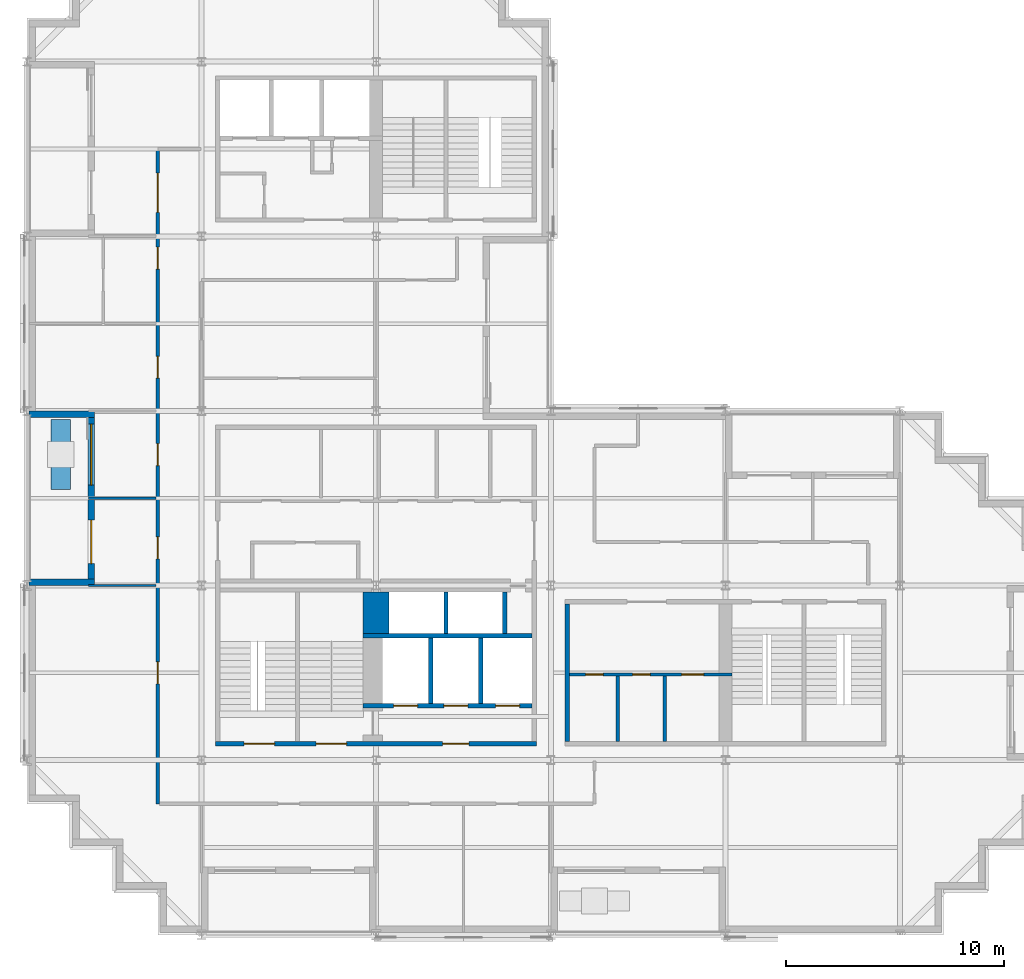
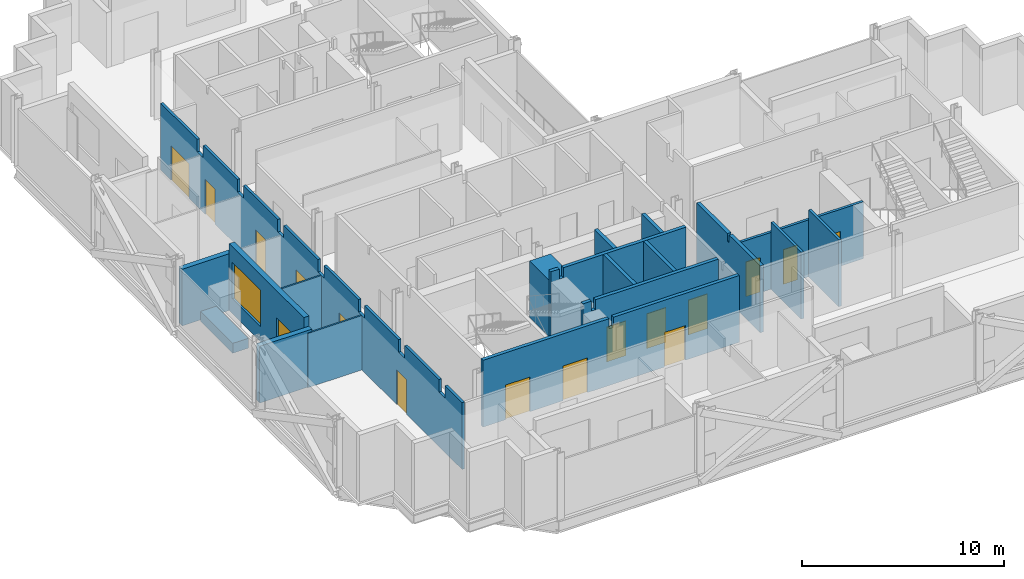
# One storey, part 5 of 12: 19 walls, 16 doors, 1 window, 17 openings.
"""IFC4 building model written with IfcOpenShell, lengths in metres."""

from ifc_helpers import new_model, si_unit, direction, frame, frame_2d, origin, place, context, subcontext, project, spatial, polyline, rectangle, outline, extrude, material, layer, layer_set, type_object, element, fill, save


model = new_model("IFC4")

# Units and contexts
model_context = context("Model", 3, precision=1e-05, world=origin(), true_north=direction((0.0, 1.0)))
body_context = subcontext(model_context, "Body", "Model", "MODEL_VIEW")
ifc_project = project(units=[si_unit("LENGTHUNIT", "METRE"), si_unit("AREAUNIT", "SQUARE_METRE"), si_unit("VOLUMEUNIT", "CUBIC_METRE"), si_unit("PLANEANGLEUNIT", "RADIAN"), si_unit("MASSUNIT", "GRAM", prefix="KILO")], contexts=[model_context])

# Site, building, storey
site_placement = place(None, origin())
site = spatial("IfcSite", under=ifc_project, at=site_placement, CompositionType="ELEMENT")
building_placement = place(site_placement, origin())
building = spatial("IfcBuilding", under=site, at=building_placement, Name="Immortelle Media Tower", CompositionType="ELEMENT")
storey_placement = place(building_placement, frame((0.0, 0.0, 149.39990234375)))
storey = spatial("IfcBuildingStorey", under=building, at=storey_placement, Name="L30", CompositionType="ELEMENT", Elevation=149.39990234375)

# Wall, openings, doors
ifc_material_1 = material(Name="Fire-rated gypsum board", Category="gypsum")
ifc_layer_1 = layer(ifc_material_1, 0.02490234375)
ifc_material_2 = material(Name="Steel ASTM A653 SS Gr 50 stud frame with mineral wool", Category="steel")
ifc_layer_2 = layer(ifc_material_2, 0.10009765625)
ifc_layer_3 = layer(ifc_material_1, 0.02490234375)
ifc_layer_set_1 = layer_set([ifc_layer_1, ifc_layer_2, ifc_layer_3], Name="Steel ASTM A653 SS Gr 50 stud frame with mineral wool")
wall_type_1 = type_object("IfcWallType", Name="Core partition 150", PredefinedType="PARTITIONING", material=ifc_layer_set_1)
wall_1_placement = place(storey_placement, frame((24.85009765625, 11.925048828125, 0.0), z_axis=(0.0, 0.0, 1.0), x_axis=(1.0, 0.0, 0.0)))
wall_1 = element("IfcWall", 1, at=wall_1_placement, inside=storey, type_object=wall_type_1, Name="Core partition SE", PredefinedType="PARTITIONING", context=body_context, shape_type="SweptSolid", body=[
    extrude(rectangle(XDim=7.449951171875, YDim=0.14990234375, at=frame_2d((3.72509765625, 0.0))), origin(), (0.0, 0.0, 1.0), 3.442138671875),
])
opening_1_placement = place(wall_1_placement, frame((1.550048828125, 0.0, 0.0), z_axis=(0.0, 0.0, 1.0), x_axis=(-1.0, 0.0, 0.0)))
opening_1 = element("IfcOpeningElement", 2, at=opening_1_placement, cuts=wall_1, Name="Opening C3-K017", PredefinedType="OPENING", context=body_context, shape_type="SweptSolid", body=[
    extrude(rectangle(XDim=0.800048828125, YDim=2.10009765625, at=frame_2d((0.39990234375, 1.050048828125))), frame((0.0, 0.0849609375, 0.0), z_axis=(0.0, -1.0, 0.0), x_axis=(1.0, 0.0, 0.0)), (0.0, 0.0, 1.0), 0.169921875),
])
opening_2_placement = place(wall_1_placement, frame((3.699951171875, 0.0, 0.0), z_axis=(0.0, 0.0, 1.0), x_axis=(-1.0, 0.0, 0.0)))
opening_2 = element("IfcOpeningElement", 3, at=opening_2_placement, cuts=wall_1, Name="Opening C3-K018", PredefinedType="OPENING", context=body_context, shape_type="SweptSolid", body=[
    extrude(rectangle(XDim=0.800048828125, YDim=2.10009765625, at=frame_2d((0.39990234375, 1.050048828125))), frame((0.0, 0.0849609375, 0.0), z_axis=(0.0, -1.0, 0.0), x_axis=(1.0, 0.0, 0.0)), (0.0, 0.0, 1.0), 0.169921875),
])
opening_3_placement = place(wall_1_placement, frame((6.14990234375, 0.0, 0.0), z_axis=(0.0, 0.0, 1.0), x_axis=(-1.0, 0.0, 0.0)))
opening_3 = element("IfcOpeningElement", 4, at=opening_3_placement, cuts=wall_1, Name="Opening C3-K020", PredefinedType="OPENING", context=body_context, shape_type="SweptSolid", body=[
    extrude(rectangle(XDim=1.0, YDim=2.10009765625, at=frame_2d((0.5, 1.050048828125))), frame((0.0, 0.0849609375, 0.0), z_axis=(0.0, -1.0, 0.0), x_axis=(1.0, 0.0, 0.0)), (0.0, 0.0, 1.0), 0.169921875),
])
ifc_material_3 = material(Name="Timber", Category="wood")
door_type_1 = type_object("IfcDoorType", Name="Accessible toilet door 1000 x 2100", OperationType="NOTDEFINED", PredefinedType="NOTDEFINED", material=ifc_material_3)
door_1_placement = place(opening_3_placement, origin())
door_1 = element("IfcDoor", 5, at=door_1_placement, inside=storey, type_object=door_type_1, Name="Accessible toilet C3-K020", OperationType="SINGLE_SWING_LEFT", OverallHeight=2.10009765625, OverallWidth=1.0, PredefinedType="NOTDEFINED", context=body_context, shape_type="SweptSolid", body=[
    extrude(rectangle(XDim=1.0, YDim=2.10009765625, at=frame_2d((0.5, 1.050048828125))), frame((0.0, 0.02490234375, 0.0), z_axis=(0.0, -1.0, 0.0), x_axis=(1.0, 0.0, 0.0)), (0.0, 0.0, 1.0), 0.050048828125),
])
fill(opening_3, door_1)
door_type_2 = type_object("IfcDoorType", Name="Toilet door 800 x 2100", OperationType="NOTDEFINED", PredefinedType="NOTDEFINED", material=ifc_material_3)
door_2_placement = place(opening_1_placement, origin())
door_2 = element("IfcDoor", 6, at=door_2_placement, inside=storey, type_object=door_type_2, Name="Toilet C3-K017", OperationType="SINGLE_SWING_RIGHT", OverallHeight=2.10009765625, OverallWidth=0.800048828125, PredefinedType="NOTDEFINED", context=body_context, shape_type="SweptSolid", body=[
    extrude(rectangle(XDim=0.800048828125, YDim=2.10009765625, at=frame_2d((0.39990234375, 1.050048828125))), frame((0.0, 0.02490234375, 0.0), z_axis=(0.0, -1.0, 0.0), x_axis=(1.0, 0.0, 0.0)), (0.0, 0.0, 1.0), 0.050048828125),
])
fill(opening_1, door_2)
door_3_placement = place(opening_2_placement, origin())
door_3 = element("IfcDoor", 7, at=door_3_placement, inside=storey, type_object=door_type_2, Name="Toilet C3-K018", OperationType="SINGLE_SWING_RIGHT", OverallHeight=2.10009765625, OverallWidth=0.800048828125, PredefinedType="NOTDEFINED", context=body_context, shape_type="SweptSolid", body=[
    extrude(rectangle(XDim=0.800048828125, YDim=2.10009765625, at=frame_2d((0.39990234375, 1.050048828125))), frame((0.0, 0.02490234375, 0.0), z_axis=(0.0, -1.0, 0.0), x_axis=(1.0, 0.0, 0.0)), (0.0, 0.0, 1.0), 0.050048828125),
])
fill(opening_2, door_3)

# Walls
for number, where, z_axis, x_axis, name in (
    (8, (27.074951171875, 8.85009765625, 0.0), (0.0, 0.0, 1.0), (0.0, 1.0, 0.0), "Core partition SE"),
    (9, (29.22509765625, 8.85009765625, 0.0), (0.0, 0.0, 1.0), (0.0, 1.0, 0.0), "Core partition SE"),
):
    element("IfcWall", number, at=place(storey_placement, frame(where, z_axis=z_axis, x_axis=x_axis)), inside=storey, type_object=wall_type_1, Name=name, PredefinedType="PARTITIONING", context=body_context, shape_type="SweptSolid", body=[
        extrude(rectangle(XDim=3.0, YDim=0.14990234375, at=frame_2d((1.5, 0.0))), origin(), (0.0, 0.0, 1.0), 4.050048828125),
    ])

# Wall, openings, doors
ifc_layer_4 = layer(ifc_material_1, 0.03759765625)
ifc_layer_5 = layer(ifc_material_2, 0.125)
ifc_layer_6 = layer(ifc_material_1, 0.03759765625)
ifc_layer_set_2 = layer_set([ifc_layer_4, ifc_layer_5, ifc_layer_6], Name="Steel ASTM A653 SS Gr 50 stud frame with mineral wool")
wall_type_2 = type_object("IfcWallType", Name="Core shaft wall 200", PredefinedType="PARTITIONING", material=ifc_layer_set_2)
wall_2_placement = place(storey_placement, frame((15.39990234375, 10.5, 0.0), z_axis=(0.0, 0.0, 1.0), x_axis=(1.0, 0.0, 0.0)))
wall_2 = element("IfcWall", 10, at=wall_2_placement, inside=storey, type_object=wall_type_2, Name="Core shaft wall SW", PredefinedType="PARTITIONING", context=body_context, shape_type="SweptSolid", body=[
    extrude(outline(polyline([(0.0, 0.0), (7.75, 0.0), (7.75, 4.050048828125), (0.718994140625, 4.050048828125), (0.718017578125, 3.442138671875), (0.48193359375, 3.442138671875), (0.48095703125, 4.050048828125), (0.0, 4.050048828125), (0.0, 0.0)])), frame((0.0, 0.10009765625, 0.0), z_axis=(0.0, -1.0, 0.0), x_axis=(1.0, 0.0, 0.0)), (0.0, 0.0, 1.0), 0.199951171875),
])
opening_4_placement = place(wall_2_placement, frame((1.39990234375, 0.0, 0.0)))
opening_4 = element("IfcOpeningElement", 11, at=opening_4_placement, cuts=wall_2, Name="Opening LD", PredefinedType="OPENING", context=body_context, shape_type="SweptSolid", body=[
    extrude(rectangle(XDim=1.10009765625, YDim=2.10009765625, at=frame_2d((0.550048828125, 1.050048828125))), frame((0.0, 0.10986328125, 0.0), z_axis=(0.0, -1.0, 0.0), x_axis=(1.0, 0.0, 0.0)), (0.0, 0.0, 1.0), 0.219970703125),
])
opening_5_placement = place(wall_2_placement, frame((3.699951171875, 0.0, 0.0)))
opening_5 = element("IfcOpeningElement", 12, at=opening_5_placement, cuts=wall_2, Name="Opening LD", PredefinedType="OPENING", context=body_context, shape_type="SweptSolid", body=[
    extrude(rectangle(XDim=1.10009765625, YDim=2.10009765625, at=frame_2d((0.550048828125, 1.050048828125))), frame((0.0, 0.10986328125, 0.0), z_axis=(0.0, -1.0, 0.0), x_axis=(1.0, 0.0, 0.0)), (0.0, 0.0, 1.0), 0.219970703125),
])
opening_6_placement = place(wall_2_placement, frame((6.074951171875, 0.0, 0.0)))
opening_6 = element("IfcOpeningElement", 13, at=opening_6_placement, cuts=wall_2, Name="Opening LD", PredefinedType="OPENING", context=body_context, shape_type="SweptSolid", body=[
    extrude(rectangle(XDim=1.10009765625, YDim=2.10009765625, at=frame_2d((0.550048828125, 1.050048828125))), frame((0.0, 0.10986328125, 0.0), z_axis=(0.0, -1.0, 0.0), x_axis=(1.0, 0.0, 0.0)), (0.0, 0.0, 1.0), 0.219970703125),
])
ifc_material_4 = material(Name="Stainless steel AISI 304", Category="steel")
door_type_3 = type_object("IfcDoorType", Name="Landing door 1100 x 2100", OperationType="SLIDING_TO_LEFT", PredefinedType="NOTDEFINED", material=ifc_material_4)
door_4_placement = place(opening_4_placement, origin())
door_4 = element("IfcDoor", 14, at=door_4_placement, inside=storey, type_object=door_type_3, Name="Landing door FF1 L30", OperationType="SLIDING_TO_LEFT", OverallHeight=2.10009765625, OverallWidth=1.10009765625, PredefinedType="NOTDEFINED", context=body_context, shape_type="SweptSolid", body=[
    extrude(rectangle(XDim=1.10009765625, YDim=2.10009765625, at=frame_2d((0.550048828125, 1.050048828125))), frame((0.0, 0.02490234375, 0.0), z_axis=(0.0, -1.0, 0.0), x_axis=(1.0, 0.0, 0.0)), (0.0, 0.0, 1.0), 0.050048828125),
])
fill(opening_4, door_4)
door_5_placement = place(opening_5_placement, origin())
door_5 = element("IfcDoor", 15, at=door_5_placement, inside=storey, type_object=door_type_3, Name="Landing door FF2 L30", OperationType="SLIDING_TO_LEFT", OverallHeight=2.10009765625, OverallWidth=1.10009765625, PredefinedType="NOTDEFINED", context=body_context, shape_type="SweptSolid", body=[
    extrude(rectangle(XDim=1.10009765625, YDim=2.10009765625, at=frame_2d((0.550048828125, 1.050048828125))), frame((0.0, 0.02490234375, 0.0), z_axis=(0.0, -1.0, 0.0), x_axis=(1.0, 0.0, 0.0)), (0.0, 0.0, 1.0), 0.050048828125),
])
fill(opening_5, door_5)
door_6_placement = place(opening_6_placement, origin())
door_6 = element("IfcDoor", 16, at=door_6_placement, inside=storey, type_object=door_type_3, Name="Landing door FF3 L30", OperationType="SLIDING_TO_LEFT", OverallHeight=2.10009765625, OverallWidth=1.10009765625, PredefinedType="NOTDEFINED", context=body_context, shape_type="SweptSolid", body=[
    extrude(rectangle(XDim=1.10009765625, YDim=2.10009765625, at=frame_2d((0.550048828125, 1.050048828125))), frame((0.0, 0.02490234375, 0.0), z_axis=(0.0, -1.0, 0.0), x_axis=(1.0, 0.0, 0.0)), (0.0, 0.0, 1.0), 0.050048828125),
])
fill(opening_6, door_6)

# Walls
wall_3_placement = place(storey_placement, frame((15.39990234375, 13.699951171875, 0.0), z_axis=(0.0, 0.0, 1.0), x_axis=(1.0, 0.0, 0.0)))
element("IfcWall", 17, at=wall_3_placement, inside=storey, type_object=wall_type_2, Name="Core shaft wall SW", PredefinedType="PARTITIONING", context=body_context, shape_type="SweptSolid", body=[
    extrude(outline(polyline([(0.0, 0.0), (7.75, 0.0), (7.75, 4.050048828125), (0.718994140625, 4.050048828125), (0.718017578125, 3.442138671875), (0.48193359375, 3.442138671875), (0.48095703125, 4.050048828125), (0.0, 4.050048828125), (0.0, 0.0)])), frame((0.0, 0.10009765625, 0.0), z_axis=(0.0, -1.0, 0.0), x_axis=(1.0, 0.0, 0.0)), (0.0, 0.0, 1.0), 0.199951171875),
])
wall_4_placement = place(storey_placement, frame((18.5, 10.60009765625, 0.0), z_axis=(0.0, 0.0, 1.0), x_axis=(0.0, 1.0, 0.0)))
element("IfcWall", 18, at=wall_4_placement, inside=storey, type_object=wall_type_2, Name="Core shaft wall SW", PredefinedType="PARTITIONING", context=body_context, shape_type="SweptSolid", body=[
    extrude(rectangle(XDim=3.0, YDim=0.199951171875, at=frame_2d((1.5, 0.0))), origin(), (0.0, 0.0, 1.0), 4.050048828125),
])
wall_5_placement = place(storey_placement, frame((19.199951171875, 13.800048828125, 0.0), z_axis=(0.0, 0.0, 1.0), x_axis=(0.0, 1.0, 0.0)))
element("IfcWall", 19, at=wall_5_placement, inside=storey, type_object=wall_type_2, Name="Core shaft wall SW", PredefinedType="PARTITIONING", context=body_context, shape_type="SweptSolid", body=[
    extrude(rectangle(XDim=1.89990234375, YDim=0.199951171875, at=frame_2d((0.949951171875, 0.0))), origin(), (0.0, 0.0, 1.0), 4.050048828125),
])
wall_6_placement = place(storey_placement, frame((20.800048828125, 10.60009765625, 0.0), z_axis=(0.0, 0.0, 1.0), x_axis=(0.0, 1.0, 0.0)))
element("IfcWall", 20, at=wall_6_placement, inside=storey, type_object=wall_type_2, Name="Core shaft wall SW", PredefinedType="PARTITIONING", context=body_context, shape_type="SweptSolid", body=[
    extrude(rectangle(XDim=3.0, YDim=0.199951171875, at=frame_2d((1.5, 0.0))), origin(), (0.0, 0.0, 1.0), 4.050048828125),
])
wall_7_placement = place(storey_placement, frame((21.89990234375, 13.800048828125, 0.0), z_axis=(0.0, 0.0, 1.0), x_axis=(0.0, 1.0, 0.0)))
element("IfcWall", 21, at=wall_7_placement, inside=storey, type_object=wall_type_2, Name="Core shaft wall SW", PredefinedType="PARTITIONING", context=body_context, shape_type="SweptSolid", body=[
    extrude(rectangle(XDim=1.89990234375, YDim=0.199951171875, at=frame_2d((0.949951171875, 0.0))), origin(), (0.0, 0.0, 1.0), 4.050048828125),
])
wall_8_placement = place(storey_placement, frame((24.75, 8.85009765625, 0.0), z_axis=(0.0, 0.0, 1.0), x_axis=(0.0, 1.0, 0.0)))
element("IfcWall", 22, at=wall_8_placement, inside=storey, type_object=wall_type_2, Name="Core shaft wall SE", PredefinedType="PARTITIONING", context=body_context, shape_type="SweptSolid", body=[
    extrude(outline(polyline([(0.0, 0.0), (6.2998046875, 0.0), (6.300048828125, 4.050048828125), (3.2314453125, 4.050048828125), (3.23046875, 3.589111328125), (3.069580078125, 3.589111328125), (3.068603515625, 4.050048828125), (0.0, 4.050048828125), (0.0, 0.0)])), frame((0.0, 0.10009765625, 0.0), z_axis=(0.0, -1.0, 0.0), x_axis=(1.0, 0.0, 0.0)), (0.0, 0.0, 1.0), 0.199951171875),
])

# Wall, openings, doors
ifc_layer_7 = layer(ifc_material_1, 0.012451171875)
ifc_layer_8 = layer(ifc_material_2, 0.125)
ifc_layer_9 = layer(ifc_material_1, 0.012451171875)
ifc_layer_set_3 = layer_set([ifc_layer_7, ifc_layer_8, ifc_layer_9], Name="Steel ASTM A653 SS Gr 50 stud frame with mineral wool")
wall_type_3 = type_object("IfcWallType", Name="Corridor wall 150", PredefinedType="PARTITIONING", material=ifc_layer_set_3)
wall_9_placement = place(storey_placement, frame((6.0, 6.0, 0.0), z_axis=(0.0, 0.0, 1.0), x_axis=(0.0, 1.0, 0.0)))
wall_9 = element("IfcWall", 23, at=wall_9_placement, inside=storey, type_object=wall_type_3, Name="Partition L30-006", PredefinedType="PARTITIONING", context=body_context, shape_type="SweptSolid", body=[
    extrude(outline(polyline([(0.0, 0.0), (29.925048828125, 0.0), (29.925048828125, 4.050048828125), (26.300048828125, 4.050048828125), (26.298095703125, 3.2880859375), (25.701904296875, 3.2880859375), (25.699951171875, 4.050048828125), (22.300048828125, 4.050048828125), (22.298095703125, 3.2880859375), (21.701904296875, 3.2880859375), (21.699951171875, 4.050048828125), (18.300048828125, 4.050048828125), (18.298095703125, 3.2880859375), (17.701904296875, 3.2880859375), (17.699951171875, 4.050048828125), (14.300048828125, 4.050048828125), (14.298095703125, 3.2880859375), (13.701904296875, 3.2880859375), (13.699951171875, 4.050048828125), (10.300048828125, 4.050048828125), (10.298095703125, 3.2880859375), (9.701904296875, 3.2880859375), (9.699951171875, 4.050048828125), (6.300048828125, 4.050048828125), (6.298095703125, 3.2880859375), (5.701904296875, 3.2880859375), (5.699951171875, 4.050048828125), (2.300048828125, 4.050048828125), (2.298095703125, 3.2880859375), (1.701904296875, 3.2880859375), (1.699951171875, 4.050048828125), (0.0, 4.050048828125), (0.0, 0.0)])), frame((0.0, 0.074951171875, 0.0), z_axis=(0.0, -1.0, 0.0), x_axis=(1.0, 0.0, 0.0)), (0.0, 0.0, 1.0), 0.14990234375),
])
opening_7_placement = place(wall_9_placement, frame((5.5, 0.0, 0.0)))
opening_7 = element("IfcOpeningElement", 24, at=opening_7_placement, cuts=wall_9, Name="Opening C3-F005", PredefinedType="OPENING", context=body_context, shape_type="SweptSolid", body=[
    extrude(rectangle(XDim=1.0, YDim=2.10009765625, at=frame_2d((0.5, 1.050048828125))), frame((0.0, 0.0849609375, 0.0), z_axis=(0.0, -1.0, 0.0), x_axis=(1.0, 0.0, 0.0)), (0.0, 0.0, 1.0), 0.169921875),
])
opening_8_placement = place(wall_9_placement, frame((11.22509765625, 0.0, 0.0)))
opening_8 = element("IfcOpeningElement", 25, at=opening_8_placement, cuts=wall_9, Name="Opening C3-F008", PredefinedType="OPENING", context=body_context, shape_type="SweptSolid", body=[
    extrude(rectangle(XDim=1.0, YDim=2.10009765625, at=frame_2d((0.5, 1.050048828125))), frame((0.0, 0.0849609375, 0.0), z_axis=(0.0, -1.0, 0.0), x_axis=(1.0, 0.0, 0.0)), (0.0, 0.0, 1.0), 0.169921875),
])
opening_9_placement = place(wall_9_placement, frame((15.5, 0.0, 0.0)))
opening_9 = element("IfcOpeningElement", 26, at=opening_9_placement, cuts=wall_9, Name="Opening C3-F009", PredefinedType="OPENING", context=body_context, shape_type="SweptSolid", body=[
    extrude(rectangle(XDim=1.0, YDim=2.10009765625, at=frame_2d((0.5, 1.050048828125))), frame((0.0, 0.0849609375, 0.0), z_axis=(0.0, -1.0, 0.0), x_axis=(1.0, 0.0, 0.0)), (0.0, 0.0, 1.0), 0.169921875),
])
opening_10_placement = place(wall_9_placement, frame((19.5, 0.0, 0.0)))
opening_10 = element("IfcOpeningElement", 27, at=opening_10_placement, cuts=wall_9, Name="Opening C3-F014", PredefinedType="OPENING", context=body_context, shape_type="SweptSolid", body=[
    extrude(rectangle(XDim=1.0, YDim=2.10009765625, at=frame_2d((0.5, 1.050048828125))), frame((0.0, 0.0849609375, 0.0), z_axis=(0.0, -1.0, 0.0), x_axis=(1.0, 0.0, 0.0)), (0.0, 0.0, 1.0), 0.169921875),
])
opening_11_placement = place(wall_9_placement, frame((24.5, 0.0, 0.0)))
opening_11 = element("IfcOpeningElement", 28, at=opening_11_placement, cuts=wall_9, Name="Opening C3-F015", PredefinedType="OPENING", context=body_context, shape_type="SweptSolid", body=[
    extrude(rectangle(XDim=1.0, YDim=2.10009765625, at=frame_2d((0.5, 1.050048828125))), frame((0.0, 0.0849609375, 0.0), z_axis=(0.0, -1.0, 0.0), x_axis=(1.0, 0.0, 0.0)), (0.0, 0.0, 1.0), 0.169921875),
])
opening_12_placement = place(wall_9_placement, frame((27.10009765625, 0.0, 0.0)))
opening_12 = element("IfcOpeningElement", 29, at=opening_12_placement, cuts=wall_9, Name="Opening C3-F017", PredefinedType="OPENING", context=body_context, shape_type="SweptSolid", body=[
    extrude(rectangle(XDim=1.800048828125, YDim=2.10009765625, at=frame_2d((0.89990234375, 1.050048828125))), frame((0.0, 0.0849609375, 0.0), z_axis=(0.0, -1.0, 0.0), x_axis=(1.0, 0.0, 0.0)), (0.0, 0.0, 1.0), 0.169921875),
])
ifc_material_5 = material(Name="Timber veneered door leaf, galvanised steel frame ASTM A653", Category="steel")
door_type_4 = type_object("IfcDoorType", Name="Room door 1000 x 2100", OperationType="NOTDEFINED", PredefinedType="DOOR", material=ifc_material_5)
door_7_placement = place(opening_7_placement, origin())
door_7 = element("IfcDoor", 30, at=door_7_placement, inside=storey, type_object=door_type_4, Name="Door C3-F005", OperationType="SINGLE_SWING_RIGHT", OverallHeight=2.10009765625, OverallWidth=1.0, PredefinedType="DOOR", context=body_context, shape_type="SweptSolid", body=[
    extrude(rectangle(XDim=1.0, YDim=2.10009765625, at=frame_2d((0.5, 1.050048828125))), frame((0.0, 0.02490234375, 0.0), z_axis=(0.0, -1.0, 0.0), x_axis=(1.0, 0.0, 0.0)), (0.0, 0.0, 1.0), 0.050048828125),
])
fill(opening_7, door_7)
door_8_placement = place(opening_8_placement, origin())
door_8 = element("IfcDoor", 31, at=door_8_placement, inside=storey, type_object=door_type_4, Name="Door C3-F008", OperationType="SINGLE_SWING_LEFT", OverallHeight=2.10009765625, OverallWidth=1.0, PredefinedType="DOOR", context=body_context, shape_type="SweptSolid", body=[
    extrude(rectangle(XDim=1.0, YDim=2.10009765625, at=frame_2d((0.5, 1.050048828125))), frame((0.0, 0.02490234375, 0.0), z_axis=(0.0, -1.0, 0.0), x_axis=(1.0, 0.0, 0.0)), (0.0, 0.0, 1.0), 0.050048828125),
])
fill(opening_8, door_8)
door_9_placement = place(opening_9_placement, origin())
door_9 = element("IfcDoor", 32, at=door_9_placement, inside=storey, type_object=door_type_4, Name="Door C3-F009", OperationType="SINGLE_SWING_LEFT", OverallHeight=2.10009765625, OverallWidth=1.0, PredefinedType="DOOR", context=body_context, shape_type="SweptSolid", body=[
    extrude(rectangle(XDim=1.0, YDim=2.10009765625, at=frame_2d((0.5, 1.050048828125))), frame((0.0, 0.02490234375, 0.0), z_axis=(0.0, -1.0, 0.0), x_axis=(1.0, 0.0, 0.0)), (0.0, 0.0, 1.0), 0.050048828125),
])
fill(opening_9, door_9)
door_10_placement = place(opening_10_placement, origin())
door_10 = element("IfcDoor", 33, at=door_10_placement, inside=storey, type_object=door_type_4, Name="Door C3-F014", OperationType="SINGLE_SWING_RIGHT", OverallHeight=2.10009765625, OverallWidth=1.0, PredefinedType="DOOR", context=body_context, shape_type="SweptSolid", body=[
    extrude(rectangle(XDim=1.0, YDim=2.10009765625, at=frame_2d((0.5, 1.050048828125))), frame((0.0, 0.02490234375, 0.0), z_axis=(0.0, -1.0, 0.0), x_axis=(1.0, 0.0, 0.0)), (0.0, 0.0, 1.0), 0.050048828125),
])
fill(opening_10, door_10)
door_11_placement = place(opening_11_placement, origin())
door_11 = element("IfcDoor", 34, at=door_11_placement, inside=storey, type_object=door_type_4, Name="Door C3-F015", OperationType="SINGLE_SWING_RIGHT", OverallHeight=2.10009765625, OverallWidth=1.0, PredefinedType="DOOR", context=body_context, shape_type="SweptSolid", body=[
    extrude(rectangle(XDim=1.0, YDim=2.10009765625, at=frame_2d((0.5, 1.050048828125))), frame((0.0, 0.02490234375, 0.0), z_axis=(0.0, -1.0, 0.0), x_axis=(1.0, 0.0, 0.0)), (0.0, 0.0, 1.0), 0.050048828125),
])
fill(opening_11, door_11)
door_type_5 = type_object("IfcDoorType", Name="Room door 1800 x 2100", OperationType="DOUBLE_DOOR_SINGLE_SWING", PredefinedType="DOOR", material=ifc_material_5)
door_12_placement = place(opening_12_placement, origin())
door_12 = element("IfcDoor", 35, at=door_12_placement, inside=storey, type_object=door_type_5, Name="Door C3-F017", OperationType="DOUBLE_DOOR_SINGLE_SWING", OverallHeight=2.10009765625, OverallWidth=1.800048828125, PredefinedType="DOOR", context=body_context, shape_type="SweptSolid", body=[
    extrude(rectangle(XDim=1.800048828125, YDim=2.10009765625, at=frame_2d((0.89990234375, 1.050048828125))), frame((0.0, 0.02490234375, 0.0), z_axis=(0.0, -1.0, 0.0), x_axis=(1.0, 0.0, 0.0)), (0.0, 0.0, 1.0), 0.050048828125),
])
fill(opening_12, door_12)

# Wall, openings, door, window
ifc_material_6 = material(Name="Pale aluminium cladding panel", Category="aluminium")
ifc_layer_10 = layer(ifc_material_6, 0.030029296875)
ifc_layer_11 = layer(ifc_material_2, 0.257568359375)
ifc_material_7 = material(Name="Moisture-resistant gypsum board", Category="gypsum")
ifc_layer_12 = layer(ifc_material_7, 0.012451171875)
ifc_layer_set_4 = layer_set([ifc_layer_10, ifc_layer_11, ifc_layer_12], Name="Steel ASTM A653 SS Gr 50 stud frame with mineral wool")
wall_type_4 = type_object("IfcWallType", Name="Facade wall 300", PredefinedType="SOLIDWALL", material=ifc_layer_set_4)
wall_10_placement = place(storey_placement, frame((2.949951171875, 23.699951171875, 0.0), z_axis=(0.0, 0.0, 1.0), x_axis=(0.0, -1.0, 0.0)))
wall_10 = element("IfcWall", 36, at=wall_10_placement, inside=storey, type_object=wall_type_4, Name="Loggia wall L30 W35", PredefinedType="SOLIDWALL", context=body_context, shape_type="SweptSolid", body=[
    extrude(rectangle(XDim=7.39990234375, YDim=0.300048828125, at=frame_2d((3.699951171875, 0.0))), origin(), (0.0, 0.0, 1.0), 4.050048828125),
])
opening_13_placement = place(wall_10_placement, frame((0.300048828125, 0.0, 0.89990234375)))
opening_13 = element("IfcOpeningElement", 37, at=opening_13_placement, cuts=wall_10, Name="Opening W1", PredefinedType="OPENING", context=body_context, shape_type="SweptSolid", body=[
    extrude(rectangle(XDim=2.800048828125, YDim=2.199951171875, at=frame_2d((1.39990234375, 1.10009765625))), frame((0.0, 0.159912109375, 0.0), z_axis=(0.0, -1.0, 0.0), x_axis=(1.0, 0.0, 0.0)), (0.0, 0.0, 1.0), 0.320068359375),
])
opening_14_placement = place(wall_10_placement, frame((4.699951171875, 0.0, 0.0)))
opening_14 = element("IfcOpeningElement", 38, at=opening_14_placement, cuts=wall_10, Name="Opening C3-E008", PredefinedType="OPENING", context=body_context, shape_type="SweptSolid", body=[
    extrude(rectangle(XDim=2.0, YDim=2.39990234375, at=frame_2d((1.0, 1.199951171875))), frame((0.0, 0.159912109375, 0.0), z_axis=(0.0, -1.0, 0.0), x_axis=(1.0, 0.0, 0.0)), (0.0, 0.0, 1.0), 0.320068359375),
])
ifc_material_8 = material(Name="Aluminium frame, glazed leaves", Category="aluminium")
door_type_6 = type_object("IfcDoorType", Name="Loggia door 2000 x 2400", OperationType="DOUBLE_DOOR_SINGLE_SWING", PredefinedType="DOOR", material=ifc_material_8)
door_13_placement = place(opening_14_placement, origin())
door_13 = element("IfcDoor", 39, at=door_13_placement, inside=storey, type_object=door_type_6, Name="Door C3-E008", OperationType="DOUBLE_DOOR_SINGLE_SWING", OverallHeight=2.39990234375, OverallWidth=2.0, PredefinedType="DOOR", context=body_context, shape_type="SweptSolid", body=[
    extrude(rectangle(XDim=2.0, YDim=2.39990234375, at=frame_2d((1.0, 1.199951171875))), frame((0.0, 0.02490234375, 0.0), z_axis=(0.0, -1.0, 0.0), x_axis=(1.0, 0.0, 0.0)), (0.0, 0.0, 1.0), 0.050048828125),
])
fill(opening_14, door_13)
ifc_material_9 = material(Name="Aluminium frame", Category="aluminium")
window_type = type_object("IfcWindowType", Name="Window 2800 x 2200", PartitioningType="SINGLE_PANEL", PredefinedType="WINDOW", material=ifc_material_9)
window_placement = place(opening_13_placement, origin())
window = element("IfcWindow", 40, at=window_placement, inside=storey, type_object=window_type, Name="Window L30 L30-R35-B2", OverallHeight=2.199951171875, OverallWidth=2.800048828125, PartitioningType="SINGLE_PANEL", PredefinedType="WINDOW", context=body_context, shape_type="SweptSolid", body=[
    extrude(rectangle(XDim=2.800048828125, YDim=2.199951171875, at=frame_2d((1.39990234375, 1.10009765625))), frame((0.0, 0.030029296875, 0.0), z_axis=(0.0, -1.0, 0.0), x_axis=(1.0, 0.0, 0.0)), (0.0, 0.0, 1.0), 0.06005859375),
])
fill(opening_13, window)

# Walls
for number, where, z_axis, x_axis, name in (
    (41, (0.10009765625, 23.85009765625, 0.0), (0.0, 0.0, 1.0), (1.0, 0.0, 0.0), "Loggia cheek wall L30 W"),
    (42, (0.10009765625, 16.14990234375, 0.0), (0.0, 0.0, 1.0), (1.0, 0.0, 0.0), "Loggia cheek wall L30 W"),
):
    element("IfcWall", number, at=place(storey_placement, frame(where, z_axis=z_axis, x_axis=x_axis)), inside=storey, type_object=wall_type_4, Name=name, PredefinedType="SOLIDWALL", context=body_context, shape_type="SweptSolid", body=[
        extrude(rectangle(XDim=3.0, YDim=0.300048828125, at=frame_2d((1.5, 0.0))), origin(), (0.0, 0.0, 1.0), 3.43701171875),
    ])
ifc_material_10 = material(Name="Gypsum board", Category="gypsum")
ifc_layer_13 = layer(ifc_material_10, 0.012451171875)
ifc_layer_14 = layer(ifc_material_2, 0.074951171875)
ifc_layer_15 = layer(ifc_material_10, 0.012451171875)
ifc_layer_set_5 = layer_set([ifc_layer_13, ifc_layer_14, ifc_layer_15], Name="Steel ASTM A653 SS Gr 50 stud frame with mineral wool")
wall_type_5 = type_object("IfcWallType", Name="Partition 100", PredefinedType="PARTITIONING", material=ifc_layer_set_5)
for number, where, z_axis, x_axis, name in (
    (43, (2.830078125, 16.0, 0.0), (0.0, 0.0, 1.0), (1.0, 0.0, 0.0), "Partition L30-008"),
    (44, (2.830078125, 20.0, 0.0), (0.0, 0.0, 1.0), (1.0, 0.0, 0.0), "Partition L30-015"),
):
    element("IfcWall", number, at=place(storey_placement, frame(where, z_axis=z_axis, x_axis=x_axis)), inside=storey, type_object=wall_type_5, Name=name, PredefinedType="PARTITIONING", context=body_context, shape_type="SweptSolid", body=[
        extrude(rectangle(XDim=3.094970703125, YDim=0.10009765625, at=frame_2d((1.54736328125, 0.0))), origin(), (0.0, 0.0, 1.0), 3.2880859375),
    ])
ifc_layer_16 = layer(ifc_material_6, 0.0029296875)
ifc_material_11 = material(Name="Steel ASTM A572 Gr 50 planter shell", Category="steel")
ifc_layer_17 = layer(ifc_material_11, 0.011962890625)
ifc_material_12 = material(Name="Planting substrate", Category="soil")
ifc_layer_18 = layer(ifc_material_12, 0.873046875)
ifc_layer_19 = layer(ifc_material_11, 0.011962890625)
ifc_layer_set_6 = layer_set([ifc_layer_16, ifc_layer_17, ifc_layer_18, ifc_layer_19], Name="Steel ASTM A572 Gr 50 planter shell")
wall_type_6 = type_object("IfcWallType", Name="Planter wall 900", PredefinedType="SOLIDWALL", material=ifc_layer_set_6)
wall_11_placement = place(storey_placement, frame((1.550048828125, 23.60009765625, 0.0), z_axis=(0.0, 0.0, 1.0), x_axis=(0.0, -1.0, 0.0)))
element("IfcWall", 45, at=wall_11_placement, inside=storey, type_object=wall_type_6, Name="Planter L30 W2", PredefinedType="SOLIDWALL", context=body_context, shape_type="SweptSolid", body=[
    extrude(rectangle(XDim=3.2001953125, YDim=0.89990234375, at=frame_2d((1.60009765625, 0.0))), origin(), (0.0, 0.0, 1.0), 0.60009765625),
])
ifc_material_13 = material(Name="Concrete C60", Category="concrete")
ifc_layer_20 = layer(ifc_material_13, 1.199951171875)
ifc_layer_set_7 = layer_set([ifc_layer_20], Name="Concrete C60")
wall_type_7 = type_object("IfcWallType", Name="Stair shaft wall 1200", PredefinedType="PARTITIONING", material=ifc_layer_set_7)
wall_12_placement = place(storey_placement, frame((16.0, 13.800048828125, 0.0), z_axis=(0.0, 0.0, 1.0), x_axis=(0.0, 1.0, 0.0)))
element("IfcWall", 46, at=wall_12_placement, inside=storey, type_object=wall_type_7, Name="Stair shaft wall SW", PredefinedType="PARTITIONING", context=body_context, shape_type="SweptSolid", body=[
    extrude(rectangle(XDim=1.89990234375, YDim=1.199951171875, at=frame_2d((0.949951171875, 0.0))), origin(), (0.0, 0.0, 1.0), 3.442138671875),
])

# Wall, openings, doors
ifc_layer_21 = layer(ifc_material_13, 0.199951171875)
ifc_layer_set_8 = layer_set([ifc_layer_21], Name="Concrete C60")
wall_type_8 = type_object("IfcWallType", Name="Stair shaft wall 200", PredefinedType="PARTITIONING", material=ifc_layer_set_8)
wall_13_placement = place(storey_placement, frame((8.64990234375, 8.75, 0.0), z_axis=(0.0, 0.0, 1.0), x_axis=(1.0, 0.0, 0.0)))
wall_13 = element("IfcWall", 47, at=wall_13_placement, inside=storey, type_object=wall_type_8, Name="Stair shaft wall SW", PredefinedType="PARTITIONING", context=body_context, shape_type="SweptSolid", body=[
    extrude(outline(polyline([(0.0, 0.0), (14.7001953125, 0.0), (14.699951171875, 4.050048828125), (7.468994140625, 4.050048828125), (7.468017578125, 3.442138671875), (7.23193359375, 3.442138671875), (7.23095703125, 4.050048828125), (0.0, 4.050048828125), (0.0, 0.0)])), frame((0.0, 0.10009765625, 0.0), z_axis=(0.0, -1.0, 0.0), x_axis=(1.0, 0.0, 0.0)), (0.0, 0.0, 1.0), 0.199951171875),
])
opening_15_placement = place(wall_13_placement, frame((1.300048828125, 0.0, 0.0)))
opening_15 = element("IfcOpeningElement", 48, at=opening_15_placement, cuts=wall_13, Name="Opening C3-K002", PredefinedType="OPENING", context=body_context, shape_type="SweptSolid", body=[
    extrude(rectangle(XDim=1.39990234375, YDim=2.10009765625, at=frame_2d((0.699951171875, 1.050048828125))), frame((0.0, 0.10986328125, 0.0), z_axis=(0.0, -1.0, 0.0), x_axis=(1.0, 0.0, 0.0)), (0.0, 0.0, 1.0), 0.219970703125),
])
opening_16_placement = place(wall_13_placement, frame((4.60009765625, 0.0, 0.0)))
opening_16 = element("IfcOpeningElement", 49, at=opening_16_placement, cuts=wall_13, Name="Opening C3-K005", PredefinedType="OPENING", context=body_context, shape_type="SweptSolid", body=[
    extrude(rectangle(XDim=1.39990234375, YDim=2.10009765625, at=frame_2d((0.699951171875, 1.050048828125))), frame((0.0, 0.10986328125, 0.0), z_axis=(0.0, -1.0, 0.0), x_axis=(1.0, 0.0, 0.0)), (0.0, 0.0, 1.0), 0.219970703125),
])
opening_17_placement = place(wall_13_placement, frame((10.39990234375, 0.0, 0.0)))
opening_17 = element("IfcOpeningElement", 50, at=opening_17_placement, cuts=wall_13, Name="Opening C3-K010", PredefinedType="OPENING", context=body_context, shape_type="SweptSolid", body=[
    extrude(rectangle(XDim=1.199951171875, YDim=2.10009765625, at=frame_2d((0.60009765625, 1.050048828125))), frame((0.0, 0.10986328125, 0.0), z_axis=(0.0, -1.0, 0.0), x_axis=(1.0, 0.0, 0.0)), (0.0, 0.0, 1.0), 0.219970703125),
])
ifc_material_14 = material(Name="Galvanised steel door leaf and frame ASTM A653", Category="steel")
door_type_7 = type_object("IfcDoorType", Name="Fire-fighting lobby door 1200 x 2100", OperationType="NOTDEFINED", PredefinedType="NOTDEFINED", material=ifc_material_14)
door_14_placement = place(opening_17_placement, origin())
door_14 = element("IfcDoor", 51, at=door_14_placement, inside=storey, type_object=door_type_7, Name="Fire-fighting lobby C3-K010", OperationType="SINGLE_SWING_LEFT", OverallHeight=2.10009765625, OverallWidth=1.199951171875, PredefinedType="NOTDEFINED", context=body_context, shape_type="SweptSolid", body=[
    extrude(rectangle(XDim=1.199951171875, YDim=2.10009765625, at=frame_2d((0.60009765625, 1.050048828125))), frame((0.0, 0.02490234375, 0.0), z_axis=(0.0, -1.0, 0.0), x_axis=(1.0, 0.0, 0.0)), (0.0, 0.0, 1.0), 0.050048828125),
])
fill(opening_17, door_14)
door_type_8 = type_object("IfcDoorType", Name="Stair door 1400 x 2100", OperationType="DOUBLE_DOOR_SINGLE_SWING", PredefinedType="NOTDEFINED", material=ifc_material_14)
door_15_placement = place(opening_15_placement, origin())
door_15 = element("IfcDoor", 52, at=door_15_placement, inside=storey, type_object=door_type_8, Name="Stair C3-K002", OperationType="DOUBLE_DOOR_SINGLE_SWING", OverallHeight=2.10009765625, OverallWidth=1.39990234375, PredefinedType="NOTDEFINED", context=body_context, shape_type="SweptSolid", body=[
    extrude(rectangle(XDim=1.39990234375, YDim=2.10009765625, at=frame_2d((0.699951171875, 1.050048828125))), frame((0.0, 0.02490234375, 0.0), z_axis=(0.0, -1.0, 0.0), x_axis=(1.0, 0.0, 0.0)), (0.0, 0.0, 1.0), 0.050048828125),
])
fill(opening_15, door_15)
door_16_placement = place(opening_16_placement, origin())
door_16 = element("IfcDoor", 53, at=door_16_placement, inside=storey, type_object=door_type_8, Name="Stair C3-K005", OperationType="DOUBLE_DOOR_SINGLE_SWING", OverallHeight=2.10009765625, OverallWidth=1.39990234375, PredefinedType="NOTDEFINED", context=body_context, shape_type="SweptSolid", body=[
    extrude(rectangle(XDim=1.39990234375, YDim=2.10009765625, at=frame_2d((0.699951171875, 1.050048828125))), frame((0.0, 0.02490234375, 0.0), z_axis=(0.0, -1.0, 0.0), x_axis=(1.0, 0.0, 0.0)), (0.0, 0.0, 1.0), 0.050048828125),
])
fill(opening_16, door_16)

save(model, "model.ifc")
